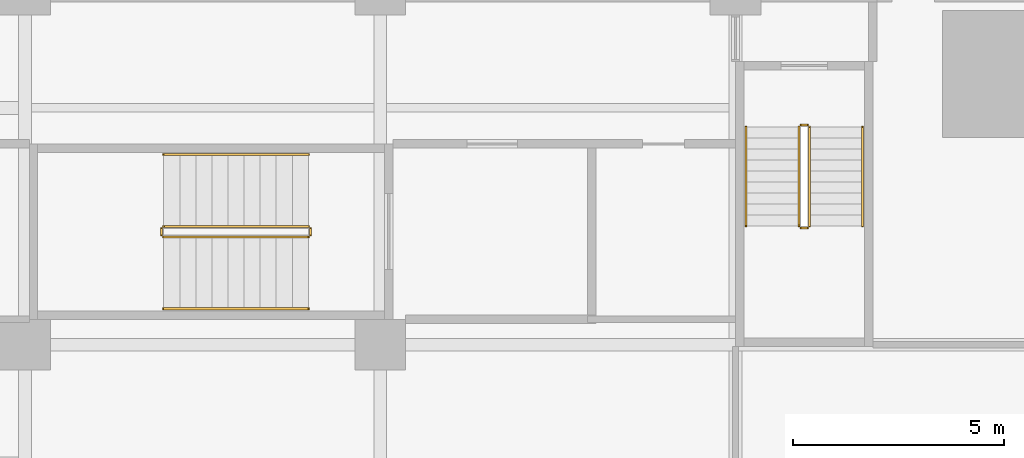
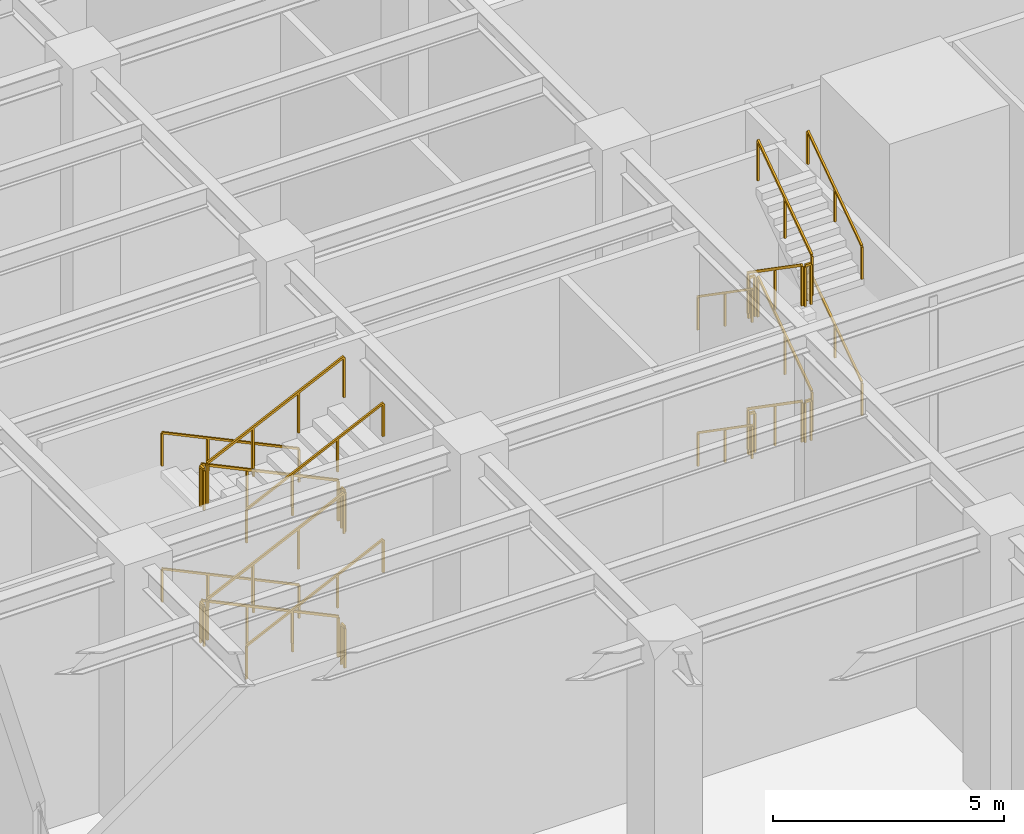
# One storey, part 38 of 43: 24 railings.
"""IFC4 building model written with IfcOpenShell, lengths in metres."""

from ifc_helpers import new_model, si_unit, direction, frame, origin, origin_2d, place, context, subcontext, project, spatial, rectangle, extrude, material, type_object, element, save


model = new_model("IFC4")

# Units and contexts
model_context = context("Model", 3, precision=1e-05, world=origin(), true_north=direction((0.0, 1.0)))
body_context = subcontext(model_context, "Body", "Model", "MODEL_VIEW")
ifc_project = project(units=[si_unit("LENGTHUNIT", "METRE"), si_unit("AREAUNIT", "SQUARE_METRE"), si_unit("VOLUMEUNIT", "CUBIC_METRE"), si_unit("PLANEANGLEUNIT", "RADIAN"), si_unit("MASSUNIT", "GRAM", prefix="KILO")], contexts=[model_context])

# Site, building, storey
site_placement = place(None, origin())
site = spatial("IfcSite", under=ifc_project, at=site_placement, CompositionType="ELEMENT")
building_placement = place(site_placement, origin())
building = spatial("IfcBuilding", under=site, at=building_placement, Name="Khepri Terraces", CompositionType="ELEMENT")
storey_placement = place(building_placement, origin())
storey = spatial("IfcBuildingStorey", under=building, at=storey_placement, Name="L00", CompositionType="ELEMENT", Elevation=0.0)

# Railings
ifc_material = material(Name="Stainless steel 316", Category="steel")
railing_type_1 = type_object("IfcRailingType", Name="RL-POD-GUARD", PredefinedType="GUARDRAIL", material=ifc_material)
railing_1_placement = place(storey_placement, frame((-23.699951171875, -20.050048828125, 0.179931640625)))
element("IfcRailing", 1, at=railing_1_placement, inside=storey, type_object=railing_type_1, Name="L00 PS-4 stair guard 1", PredefinedType="GUARDRAIL", context=body_context, shape_type="SweptSolid", body=[
    extrude(rectangle(XDim=0.050048828125, YDim=0.06005859375, at=origin_2d()), frame((0.0, 0.0, 1.070068359375), z_axis=(0.0, -0.822155131156, 0.569263506923), x_axis=(1.0, 0.0, 0.0)), (0.0, 0.0, 1.0), 2.845947265625),
    extrude(rectangle(XDim=0.050048828125, YDim=0.050048828125, at=origin_2d()), origin(), (0.0, 0.0, 1.0), 1.0400390625),
    extrude(rectangle(XDim=0.050048828125, YDim=0.050048828125, at=origin_2d()), frame((0.0, -1.169921875, 0.81005859375)), (0.0, 0.0, 1.0), 1.0400390625),
    extrude(rectangle(XDim=0.050048828125, YDim=0.050048828125, at=origin_2d()), frame((0.0, -2.33984375, 1.6201171875)), (0.0, 0.0, 1.0), 1.0400390625),
])
railing_2_placement = place(storey_placement, frame((-23.64990234375, -22.43994140625, 1.800048828125)))
element("IfcRailing", 2, at=railing_2_placement, inside=storey, type_object=railing_type_1, Name="L00 PS-4 stair guard 2", PredefinedType="GUARDRAIL", context=body_context, shape_type="SweptSolid", body=[
    extrude(rectangle(XDim=0.050048828125, YDim=0.06005859375, at=origin_2d()), frame((0.0, 0.0, 1.070068359375), z_axis=(1.0, 0.0, 0.0), x_axis=(0.0, 1.0, 0.0)), (0.0, 0.0, 1.0), 0.14990234375),
    extrude(rectangle(XDim=0.050048828125, YDim=0.050048828125, at=origin_2d()), origin(), (0.0, 0.0, 1.0), 1.0400390625),
    extrude(rectangle(XDim=0.050048828125, YDim=0.050048828125, at=origin_2d()), frame((0.14990234375, 0.0, 0.0)), (0.0, 0.0, 1.0), 1.0400390625),
])
railing_3_placement = place(storey_placement, frame((-23.449951171875, -22.389892578125, 1.97998046875)))
element("IfcRailing", 3, at=railing_3_placement, inside=storey, type_object=railing_type_1, Name="L00 PS-4 stair guard 3", PredefinedType="GUARDRAIL", context=body_context, shape_type="SweptSolid", body=[
    extrude(rectangle(XDim=0.050048828125, YDim=0.06005859375, at=origin_2d()), frame((0.0, 0.0, 1.070068359375), z_axis=(0.0, 0.822155131156, 0.569263506923), x_axis=(-1.0, 0.0, 0.0)), (0.0, 0.0, 1.0), 2.845947265625),
    extrude(rectangle(XDim=0.050048828125, YDim=0.050048828125, at=origin_2d()), origin(), (0.0, 0.0, 1.0), 1.0400390625),
    extrude(rectangle(XDim=0.050048828125, YDim=0.050048828125, at=origin_2d()), frame((0.0, 1.169921875, 0.81005859375)), (0.0, 0.0, 1.0), 1.0400390625),
    extrude(rectangle(XDim=0.050048828125, YDim=0.050048828125, at=origin_2d()), frame((0.0, 2.33984375, 1.6201171875)), (0.0, 0.0, 1.0), 1.0400390625),
])
railing_4_placement = place(storey_placement, frame((-23.64990234375, -20.0, 3.60009765625)))
element("IfcRailing", 4, at=railing_4_placement, inside=storey, type_object=railing_type_1, Name="L00 PS-4 stair guard 4", PredefinedType="GUARDRAIL", context=body_context, shape_type="SweptSolid", body=[
    extrude(rectangle(XDim=0.050048828125, YDim=0.06005859375, at=origin_2d()), frame((0.0, 0.0, 1.070068359375), z_axis=(1.0, 0.0, 0.0), x_axis=(0.0, 1.0, 0.0)), (0.0, 0.0, 1.0), 0.14990234375),
    extrude(rectangle(XDim=0.050048828125, YDim=0.050048828125, at=origin_2d()), origin(), (0.0, 0.0, 1.0), 1.0400390625),
    extrude(rectangle(XDim=0.050048828125, YDim=0.050048828125, at=origin_2d()), frame((0.14990234375, 0.0, 0.0)), (0.0, 0.0, 1.0), 1.0400390625),
])
railing_5_placement = place(storey_placement, frame((-23.699951171875, -20.050048828125, 3.780029296875)))
element("IfcRailing", 5, at=railing_5_placement, inside=storey, type_object=railing_type_1, Name="L00 PS-4 stair guard 5", PredefinedType="GUARDRAIL", context=body_context, shape_type="SweptSolid", body=[
    extrude(rectangle(XDim=0.050048828125, YDim=0.06005859375, at=origin_2d()), frame((0.0, 0.0, 1.070068359375), z_axis=(0.0, -0.822195280011, 0.569205517829), x_axis=(1.0, 0.0, 0.0)), (0.0, 0.0, 1.0), 2.845947265625),
    extrude(rectangle(XDim=0.050048828125, YDim=0.050048828125, at=origin_2d()), origin(), (0.0, 0.0, 1.0), 1.0400390625),
    extrude(rectangle(XDim=0.050048828125, YDim=0.050048828125, at=origin_2d()), frame((0.0, -1.169921875, 0.81005859375)), (0.0, 0.0, 1.0), 1.0400390625),
    extrude(rectangle(XDim=0.050048828125, YDim=0.050048828125, at=origin_2d()), frame((0.0, -2.33984375, 1.619873046875)), (0.0, 0.0, 1.0), 1.0400390625),
])
railing_6_placement = place(storey_placement, frame((-23.64990234375, -22.43994140625, 5.39990234375)))
element("IfcRailing", 6, at=railing_6_placement, inside=storey, type_object=railing_type_1, Name="L00 PS-4 stair guard 6", PredefinedType="GUARDRAIL", context=body_context, shape_type="SweptSolid", body=[
    extrude(rectangle(XDim=0.050048828125, YDim=0.06005859375, at=origin_2d()), frame((0.0, 0.0, 1.070068359375), z_axis=(1.0, 0.0, 0.0), x_axis=(0.0, 1.0, 0.0)), (0.0, 0.0, 1.0), 0.14990234375),
    extrude(rectangle(XDim=0.050048828125, YDim=0.050048828125, at=origin_2d()), origin(), (0.0, 0.0, 1.0), 1.0400390625),
    extrude(rectangle(XDim=0.050048828125, YDim=0.050048828125, at=origin_2d()), frame((0.14990234375, 0.0, 0.0)), (0.0, 0.0, 1.0), 1.0400390625),
])
railing_7_placement = place(storey_placement, frame((-23.449951171875, -22.389892578125, 5.580078125)))
element("IfcRailing", 7, at=railing_7_placement, inside=storey, type_object=railing_type_1, Name="L00 PS-4 stair guard 7", PredefinedType="GUARDRAIL", context=body_context, shape_type="SweptSolid", body=[
    extrude(rectangle(XDim=0.050048828125, YDim=0.06005859375, at=origin_2d()), frame((0.0, 0.0, 1.070068359375), z_axis=(0.0, 0.822195280011, 0.569205517829), x_axis=(-1.0, 0.0, 0.0)), (0.0, 0.0, 1.0), 2.845947265625),
    extrude(rectangle(XDim=0.050048828125, YDim=0.050048828125, at=origin_2d()), origin(), (0.0, 0.0, 1.0), 1.0400390625),
    extrude(rectangle(XDim=0.050048828125, YDim=0.050048828125, at=origin_2d()), frame((0.0, 1.169921875, 0.81005859375)), (0.0, 0.0, 1.0), 1.0400390625),
    extrude(rectangle(XDim=0.050048828125, YDim=0.050048828125, at=origin_2d()), frame((0.0, 2.33984375, 1.619873046875)), (0.0, 0.0, 1.0), 1.0400390625),
])
railing_8_placement = place(storey_placement, frame((-23.64990234375, -20.0, 0.0)))
element("IfcRailing", 8, at=railing_8_placement, inside=storey, type_object=railing_type_1, Name="L00 PS-4 stair guard 8", PredefinedType="GUARDRAIL", context=body_context, shape_type="SweptSolid", body=[
    extrude(rectangle(XDim=0.050048828125, YDim=0.06005859375, at=origin_2d()), frame((0.0, 0.0, 1.070068359375), z_axis=(1.0, 0.0, 0.0), x_axis=(0.0, 1.0, 0.0)), (0.0, 0.0, 1.0), 0.14990234375),
    extrude(rectangle(XDim=0.050048828125, YDim=0.050048828125, at=origin_2d()), origin(), (0.0, 0.0, 1.0), 1.0400390625),
    extrude(rectangle(XDim=0.050048828125, YDim=0.050048828125, at=origin_2d()), frame((0.14990234375, 0.0, 0.0)), (0.0, 0.0, 1.0), 1.0400390625),
])
railing_9_placement = place(storey_placement, frame((-35.300048828125, -22.39990234375, 0.179931640625)))
element("IfcRailing", 9, at=railing_9_placement, inside=storey, type_object=railing_type_1, Name="L00 PS-7 stair guard 1", PredefinedType="GUARDRAIL", context=body_context, shape_type="SweptSolid", body=[
    extrude(rectangle(XDim=0.050048828125, YDim=0.06005859375, at=origin_2d()), frame((0.0, 0.0, 1.070068359375), z_axis=(-0.903722074505, 0.0, 0.428119623531), x_axis=(0.0, -1.0, 0.0)), (0.0, 0.0, 1.0), 3.7841796875),
    extrude(rectangle(XDim=0.050048828125, YDim=0.050048828125, at=origin_2d()), origin(), (0.0, 0.0, 1.0), 1.0400390625),
    extrude(rectangle(XDim=0.050048828125, YDim=0.050048828125, at=origin_2d()), frame((-1.139892578125, 0.0, 0.5400390625)), (0.0, 0.0, 1.0), 1.0400390625),
    extrude(rectangle(XDim=0.050048828125, YDim=0.050048828125, at=origin_2d()), frame((-2.280029296875, 0.0, 1.080078125)), (0.0, 0.0, 1.0), 1.0400390625),
    extrude(rectangle(XDim=0.050048828125, YDim=0.050048828125, at=origin_2d()), frame((-3.419921875, 0.0, 1.6201171875)), (0.0, 0.0, 1.0), 1.0400390625),
])
railing_10_placement = place(storey_placement, frame((-38.77001953125, -22.449951171875, 1.800048828125)))
element("IfcRailing", 10, at=railing_10_placement, inside=storey, type_object=railing_type_1, Name="L00 PS-7 stair guard 2", PredefinedType="GUARDRAIL", context=body_context, shape_type="SweptSolid", body=[
    extrude(rectangle(XDim=0.050048828125, YDim=0.06005859375, at=origin_2d()), frame((0.0, 0.0, 1.070068359375), z_axis=(0.0, -1.0, 0.0), x_axis=(1.0, 0.0, 0.0)), (0.0, 0.0, 1.0), 0.150146484375),
    extrude(rectangle(XDim=0.050048828125, YDim=0.050048828125, at=origin_2d()), origin(), (0.0, 0.0, 1.0), 1.0400390625),
    extrude(rectangle(XDim=0.050048828125, YDim=0.050048828125, at=origin_2d()), frame((0.0, -0.150146484375, 0.0)), (0.0, 0.0, 1.0), 1.0400390625),
])
railing_11_placement = place(storey_placement, frame((-38.719970703125, -22.64990234375, 1.97998046875)))
element("IfcRailing", 11, at=railing_11_placement, inside=storey, type_object=railing_type_1, Name="L00 PS-7 stair guard 3", PredefinedType="GUARDRAIL", context=body_context, shape_type="SweptSolid", body=[
    extrude(rectangle(XDim=0.050048828125, YDim=0.06005859375, at=origin_2d()), frame((0.0, 0.0, 1.070068359375), z_axis=(0.903722074505, 0.0, 0.428119623531), x_axis=(0.0, 1.0, 0.0)), (0.0, 0.0, 1.0), 3.7841796875),
    extrude(rectangle(XDim=0.050048828125, YDim=0.050048828125, at=origin_2d()), origin(), (0.0, 0.0, 1.0), 1.0400390625),
    extrude(rectangle(XDim=0.050048828125, YDim=0.050048828125, at=origin_2d()), frame((1.139892578125, 0.0, 0.5400390625)), (0.0, 0.0, 1.0), 1.0400390625),
    extrude(rectangle(XDim=0.050048828125, YDim=0.050048828125, at=origin_2d()), frame((2.280029296875, 0.0, 1.080078125)), (0.0, 0.0, 1.0), 1.0400390625),
    extrude(rectangle(XDim=0.050048828125, YDim=0.050048828125, at=origin_2d()), frame((3.419921875, 0.0, 1.6201171875)), (0.0, 0.0, 1.0), 1.0400390625),
])
railing_12_placement = place(storey_placement, frame((-35.25, -22.449951171875, 3.60009765625)))
element("IfcRailing", 12, at=railing_12_placement, inside=storey, type_object=railing_type_1, Name="L00 PS-7 stair guard 4", PredefinedType="GUARDRAIL", context=body_context, shape_type="SweptSolid", body=[
    extrude(rectangle(XDim=0.050048828125, YDim=0.06005859375, at=origin_2d()), frame((0.0, 0.0, 1.070068359375), z_axis=(0.0, -1.0, 0.0), x_axis=(1.0, 0.0, 0.0)), (0.0, 0.0, 1.0), 0.150146484375),
    extrude(rectangle(XDim=0.050048828125, YDim=0.050048828125, at=origin_2d()), origin(), (0.0, 0.0, 1.0), 1.0400390625),
    extrude(rectangle(XDim=0.050048828125, YDim=0.050048828125, at=origin_2d()), frame((0.0, -0.150146484375, 0.0)), (0.0, 0.0, 1.0), 1.0400390625),
])
railing_13_placement = place(storey_placement, frame((-35.300048828125, -22.39990234375, 3.780029296875)))
element("IfcRailing", 13, at=railing_13_placement, inside=storey, type_object=railing_type_1, Name="L00 PS-7 stair guard 5", PredefinedType="GUARDRAIL", context=body_context, shape_type="SweptSolid", body=[
    extrude(rectangle(XDim=0.050048828125, YDim=0.06005859375, at=origin_2d()), frame((0.0, 0.0, 1.070068359375), z_axis=(-0.903747034475, 0.0, 0.428066931306), x_axis=(0.0, -1.0, 0.0)), (0.0, 0.0, 1.0), 3.7841796875),
    extrude(rectangle(XDim=0.050048828125, YDim=0.050048828125, at=origin_2d()), origin(), (0.0, 0.0, 1.0), 1.0400390625),
    extrude(rectangle(XDim=0.050048828125, YDim=0.050048828125, at=origin_2d()), frame((-1.139892578125, 0.0, 0.5400390625)), (0.0, 0.0, 1.0), 1.0400390625),
    extrude(rectangle(XDim=0.050048828125, YDim=0.050048828125, at=origin_2d()), frame((-2.280029296875, 0.0, 1.079833984375)), (0.0, 0.0, 1.0), 1.0400390625),
    extrude(rectangle(XDim=0.050048828125, YDim=0.050048828125, at=origin_2d()), frame((-3.419921875, 0.0, 1.619873046875)), (0.0, 0.0, 1.0), 1.0400390625),
])
railing_14_placement = place(storey_placement, frame((-38.77001953125, -22.449951171875, 5.39990234375)))
element("IfcRailing", 14, at=railing_14_placement, inside=storey, type_object=railing_type_1, Name="L00 PS-7 stair guard 6", PredefinedType="GUARDRAIL", context=body_context, shape_type="SweptSolid", body=[
    extrude(rectangle(XDim=0.050048828125, YDim=0.06005859375, at=origin_2d()), frame((0.0, 0.0, 1.070068359375), z_axis=(0.0, -1.0, 0.0), x_axis=(1.0, 0.0, 0.0)), (0.0, 0.0, 1.0), 0.150146484375),
    extrude(rectangle(XDim=0.050048828125, YDim=0.050048828125, at=origin_2d()), origin(), (0.0, 0.0, 1.0), 1.0400390625),
    extrude(rectangle(XDim=0.050048828125, YDim=0.050048828125, at=origin_2d()), frame((0.0, -0.150146484375, 0.0)), (0.0, 0.0, 1.0), 1.0400390625),
])
railing_15_placement = place(storey_placement, frame((-38.719970703125, -22.64990234375, 5.580078125)))
element("IfcRailing", 15, at=railing_15_placement, inside=storey, type_object=railing_type_1, Name="L00 PS-7 stair guard 7", PredefinedType="GUARDRAIL", context=body_context, shape_type="SweptSolid", body=[
    extrude(rectangle(XDim=0.050048828125, YDim=0.06005859375, at=origin_2d()), frame((0.0, 0.0, 1.070068359375), z_axis=(0.903747034475, 0.0, 0.428066931306), x_axis=(0.0, 1.0, 0.0)), (0.0, 0.0, 1.0), 3.7841796875),
    extrude(rectangle(XDim=0.050048828125, YDim=0.050048828125, at=origin_2d()), origin(), (0.0, 0.0, 1.0), 1.0400390625),
    extrude(rectangle(XDim=0.050048828125, YDim=0.050048828125, at=origin_2d()), frame((1.139892578125, 0.0, 0.5400390625)), (0.0, 0.0, 1.0), 1.0400390625),
    extrude(rectangle(XDim=0.050048828125, YDim=0.050048828125, at=origin_2d()), frame((2.280029296875, 0.0, 1.079833984375)), (0.0, 0.0, 1.0), 1.0400390625),
    extrude(rectangle(XDim=0.050048828125, YDim=0.050048828125, at=origin_2d()), frame((3.419921875, 0.0, 1.619873046875)), (0.0, 0.0, 1.0), 1.0400390625),
])
railing_16_placement = place(storey_placement, frame((-35.25, -22.449951171875, 0.0)))
element("IfcRailing", 16, at=railing_16_placement, inside=storey, type_object=railing_type_1, Name="L00 PS-7 stair guard 8", PredefinedType="GUARDRAIL", context=body_context, shape_type="SweptSolid", body=[
    extrude(rectangle(XDim=0.050048828125, YDim=0.06005859375, at=origin_2d()), frame((0.0, 0.0, 1.070068359375), z_axis=(0.0, -1.0, 0.0), x_axis=(1.0, 0.0, 0.0)), (0.0, 0.0, 1.0), 0.150146484375),
    extrude(rectangle(XDim=0.050048828125, YDim=0.050048828125, at=origin_2d()), origin(), (0.0, 0.0, 1.0), 1.0400390625),
    extrude(rectangle(XDim=0.050048828125, YDim=0.050048828125, at=origin_2d()), frame((0.0, -0.150146484375, 0.0)), (0.0, 0.0, 1.0), 1.0400390625),
])
railing_type_2 = type_object("IfcRailingType", Name="RL-POD-HANDRAIL", PredefinedType="HANDRAIL", material=ifc_material)
railing_17_placement = place(storey_placement, frame((-24.949951171875, -20.050048828125, 0.179931640625)))
element("IfcRailing", 17, at=railing_17_placement, inside=storey, type_object=railing_type_2, Name="L00 PS-4 stair handrail 1", PredefinedType="HANDRAIL", context=body_context, shape_type="SweptSolid", body=[
    extrude(rectangle(XDim=0.050048828125, YDim=0.050048828125, at=origin_2d()), frame((0.0, 0.0, 0.875), z_axis=(0.0, -0.822155131156, 0.569263506923), x_axis=(1.0, 0.0, 0.0)), (0.0, 0.0, 1.0), 2.845947265625),
    extrude(rectangle(XDim=0.050048828125, YDim=0.050048828125, at=origin_2d()), origin(), (0.0, 0.0, 1.0), 0.849853515625),
    extrude(rectangle(XDim=0.050048828125, YDim=0.050048828125, at=origin_2d()), frame((0.0, -1.169921875, 0.81005859375)), (0.0, 0.0, 1.0), 0.849853515625),
    extrude(rectangle(XDim=0.050048828125, YDim=0.050048828125, at=origin_2d()), frame((0.0, -2.33984375, 1.6201171875)), (0.0, 0.0, 1.0), 0.849853515625),
])
railing_18_placement = place(storey_placement, frame((-22.199951171875, -22.389892578125, 1.97998046875)))
element("IfcRailing", 18, at=railing_18_placement, inside=storey, type_object=railing_type_2, Name="L00 PS-4 stair handrail 2", PredefinedType="HANDRAIL", context=body_context, shape_type="SweptSolid", body=[
    extrude(rectangle(XDim=0.050048828125, YDim=0.050048828125, at=origin_2d()), frame((0.0, 0.0, 0.875), z_axis=(0.0, 0.822155131156, 0.569263506923), x_axis=(-1.0, 0.0, 0.0)), (0.0, 0.0, 1.0), 2.845947265625),
    extrude(rectangle(XDim=0.050048828125, YDim=0.050048828125, at=origin_2d()), origin(), (0.0, 0.0, 1.0), 0.849853515625),
    extrude(rectangle(XDim=0.050048828125, YDim=0.050048828125, at=origin_2d()), frame((0.0, 1.169921875, 0.81005859375)), (0.0, 0.0, 1.0), 0.849853515625),
    extrude(rectangle(XDim=0.050048828125, YDim=0.050048828125, at=origin_2d()), frame((0.0, 2.33984375, 1.6201171875)), (0.0, 0.0, 1.0), 0.849853515625),
])
railing_19_placement = place(storey_placement, frame((-24.949951171875, -20.050048828125, 3.780029296875)))
element("IfcRailing", 19, at=railing_19_placement, inside=storey, type_object=railing_type_2, Name="L00 PS-4 stair handrail 3", PredefinedType="HANDRAIL", context=body_context, shape_type="SweptSolid", body=[
    extrude(rectangle(XDim=0.050048828125, YDim=0.050048828125, at=origin_2d()), frame((0.0, 0.0, 0.875), z_axis=(0.0, -0.822195280011, 0.569205517829), x_axis=(1.0, 0.0, 0.0)), (0.0, 0.0, 1.0), 2.845947265625),
    extrude(rectangle(XDim=0.050048828125, YDim=0.050048828125, at=origin_2d()), origin(), (0.0, 0.0, 1.0), 0.849853515625),
    extrude(rectangle(XDim=0.050048828125, YDim=0.050048828125, at=origin_2d()), frame((0.0, -1.169921875, 0.81005859375)), (0.0, 0.0, 1.0), 0.849853515625),
    extrude(rectangle(XDim=0.050048828125, YDim=0.050048828125, at=origin_2d()), frame((0.0, -2.33984375, 1.619873046875)), (0.0, 0.0, 1.0), 0.849853515625),
])
railing_20_placement = place(storey_placement, frame((-22.199951171875, -22.389892578125, 5.580078125)))
element("IfcRailing", 20, at=railing_20_placement, inside=storey, type_object=railing_type_2, Name="L00 PS-4 stair handrail 4", PredefinedType="HANDRAIL", context=body_context, shape_type="SweptSolid", body=[
    extrude(rectangle(XDim=0.050048828125, YDim=0.050048828125, at=origin_2d()), frame((0.0, 0.0, 0.875), z_axis=(0.0, 0.822195280011, 0.569205517829), x_axis=(-1.0, 0.0, 0.0)), (0.0, 0.0, 1.0), 2.845947265625),
    extrude(rectangle(XDim=0.050048828125, YDim=0.050048828125, at=origin_2d()), origin(), (0.0, 0.0, 1.0), 0.849853515625),
    extrude(rectangle(XDim=0.050048828125, YDim=0.050048828125, at=origin_2d()), frame((0.0, 1.169921875, 0.81005859375)), (0.0, 0.0, 1.0), 0.849853515625),
    extrude(rectangle(XDim=0.050048828125, YDim=0.050048828125, at=origin_2d()), frame((0.0, 2.33984375, 1.619873046875)), (0.0, 0.0, 1.0), 0.849853515625),
])
railing_21_placement = place(storey_placement, frame((-35.300048828125, -20.699951171875, 0.179931640625)))
element("IfcRailing", 21, at=railing_21_placement, inside=storey, type_object=railing_type_2, Name="L00 PS-7 stair handrail 1", PredefinedType="HANDRAIL", context=body_context, shape_type="SweptSolid", body=[
    extrude(rectangle(XDim=0.050048828125, YDim=0.050048828125, at=origin_2d()), frame((0.0, 0.0, 0.875), z_axis=(-0.903722074505, 0.0, 0.428119623531), x_axis=(0.0, -1.0, 0.0)), (0.0, 0.0, 1.0), 3.7841796875),
    extrude(rectangle(XDim=0.050048828125, YDim=0.050048828125, at=origin_2d()), origin(), (0.0, 0.0, 1.0), 0.849853515625),
    extrude(rectangle(XDim=0.050048828125, YDim=0.050048828125, at=origin_2d()), frame((-1.139892578125, 0.0, 0.5400390625)), (0.0, 0.0, 1.0), 0.849853515625),
    extrude(rectangle(XDim=0.050048828125, YDim=0.050048828125, at=origin_2d()), frame((-2.280029296875, 0.0, 1.080078125)), (0.0, 0.0, 1.0), 0.849853515625),
    extrude(rectangle(XDim=0.050048828125, YDim=0.050048828125, at=origin_2d()), frame((-3.419921875, 0.0, 1.6201171875)), (0.0, 0.0, 1.0), 0.849853515625),
])
railing_22_placement = place(storey_placement, frame((-38.719970703125, -24.35009765625, 1.97998046875)))
element("IfcRailing", 22, at=railing_22_placement, inside=storey, type_object=railing_type_2, Name="L00 PS-7 stair handrail 2", PredefinedType="HANDRAIL", context=body_context, shape_type="SweptSolid", body=[
    extrude(rectangle(XDim=0.050048828125, YDim=0.050048828125, at=origin_2d()), frame((0.0, 0.0, 0.875), z_axis=(0.903722074505, 0.0, 0.428119623531), x_axis=(0.0, 1.0, 0.0)), (0.0, 0.0, 1.0), 3.7841796875),
    extrude(rectangle(XDim=0.050048828125, YDim=0.050048828125, at=origin_2d()), origin(), (0.0, 0.0, 1.0), 0.849853515625),
    extrude(rectangle(XDim=0.050048828125, YDim=0.050048828125, at=origin_2d()), frame((1.139892578125, 0.0, 0.5400390625)), (0.0, 0.0, 1.0), 0.849853515625),
    extrude(rectangle(XDim=0.050048828125, YDim=0.050048828125, at=origin_2d()), frame((2.280029296875, 0.0, 1.080078125)), (0.0, 0.0, 1.0), 0.849853515625),
    extrude(rectangle(XDim=0.050048828125, YDim=0.050048828125, at=origin_2d()), frame((3.419921875, 0.0, 1.6201171875)), (0.0, 0.0, 1.0), 0.849853515625),
])
railing_23_placement = place(storey_placement, frame((-35.300048828125, -20.699951171875, 3.780029296875)))
element("IfcRailing", 23, at=railing_23_placement, inside=storey, type_object=railing_type_2, Name="L00 PS-7 stair handrail 3", PredefinedType="HANDRAIL", context=body_context, shape_type="SweptSolid", body=[
    extrude(rectangle(XDim=0.050048828125, YDim=0.050048828125, at=origin_2d()), frame((0.0, 0.0, 0.875), z_axis=(-0.903747034475, 0.0, 0.428066931306), x_axis=(0.0, -1.0, 0.0)), (0.0, 0.0, 1.0), 3.7841796875),
    extrude(rectangle(XDim=0.050048828125, YDim=0.050048828125, at=origin_2d()), origin(), (0.0, 0.0, 1.0), 0.849853515625),
    extrude(rectangle(XDim=0.050048828125, YDim=0.050048828125, at=origin_2d()), frame((-1.139892578125, 0.0, 0.5400390625)), (0.0, 0.0, 1.0), 0.849853515625),
    extrude(rectangle(XDim=0.050048828125, YDim=0.050048828125, at=origin_2d()), frame((-2.280029296875, 0.0, 1.079833984375)), (0.0, 0.0, 1.0), 0.849853515625),
    extrude(rectangle(XDim=0.050048828125, YDim=0.050048828125, at=origin_2d()), frame((-3.419921875, 0.0, 1.619873046875)), (0.0, 0.0, 1.0), 0.849853515625),
])
railing_24_placement = place(storey_placement, frame((-38.719970703125, -24.35009765625, 5.580078125)))
element("IfcRailing", 24, at=railing_24_placement, inside=storey, type_object=railing_type_2, Name="L00 PS-7 stair handrail 4", PredefinedType="HANDRAIL", context=body_context, shape_type="SweptSolid", body=[
    extrude(rectangle(XDim=0.050048828125, YDim=0.050048828125, at=origin_2d()), frame((0.0, 0.0, 0.875), z_axis=(0.903747034475, 0.0, 0.428066931306), x_axis=(0.0, 1.0, 0.0)), (0.0, 0.0, 1.0), 3.7841796875),
    extrude(rectangle(XDim=0.050048828125, YDim=0.050048828125, at=origin_2d()), origin(), (0.0, 0.0, 1.0), 0.849853515625),
    extrude(rectangle(XDim=0.050048828125, YDim=0.050048828125, at=origin_2d()), frame((1.139892578125, 0.0, 0.5400390625)), (0.0, 0.0, 1.0), 0.849853515625),
    extrude(rectangle(XDim=0.050048828125, YDim=0.050048828125, at=origin_2d()), frame((2.280029296875, 0.0, 1.079833984375)), (0.0, 0.0, 1.0), 0.849853515625),
    extrude(rectangle(XDim=0.050048828125, YDim=0.050048828125, at=origin_2d()), frame((3.419921875, 0.0, 1.619873046875)), (0.0, 0.0, 1.0), 0.849853515625),
])

save(model, "model.ifc")
